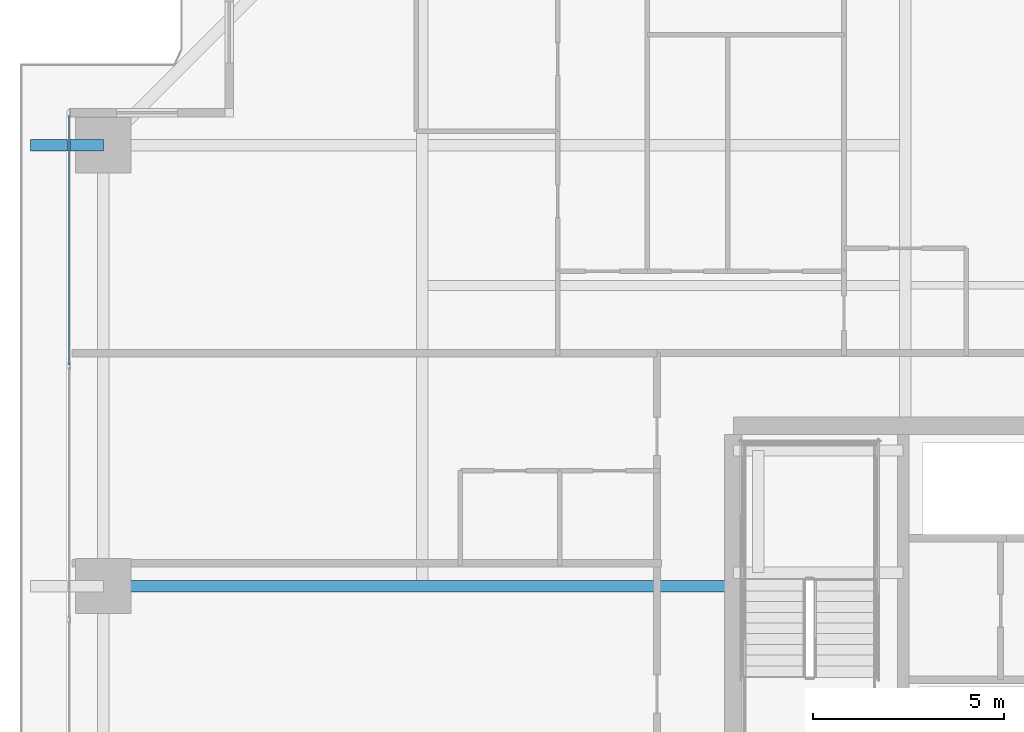
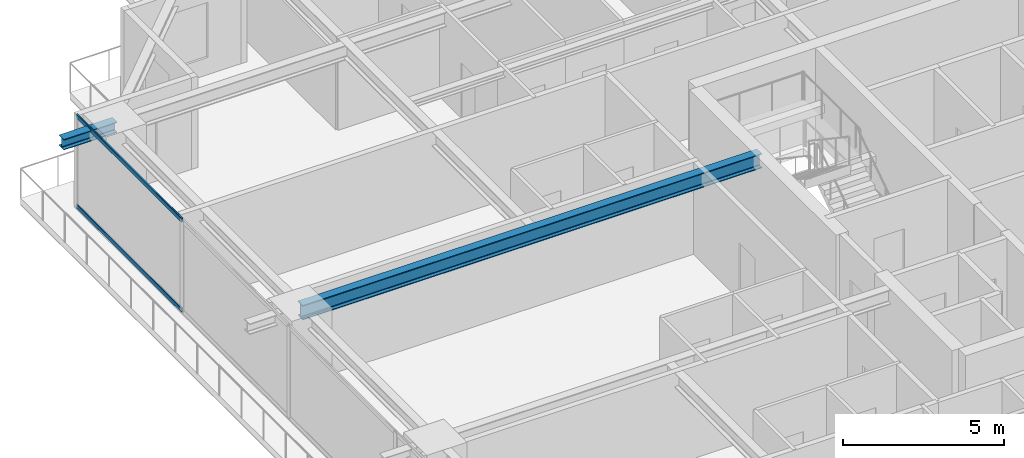
# One storey, part 17 of 39: 2 beams, 2 members, 1 element without a shape of its own.
"""IFC4 building model written with IfcOpenShell, lengths in metres."""

from ifc_helpers import new_model, si_unit, direction, frame, origin, origin_2d, place, context, subcontext, project, spatial, hollow_rectangle, i_section, extrude, source, transform, mapped, material, layer, layer_set, material_profile, profile_set, type_object, element, aggregate, save


model = new_model("IFC4")

# Units and contexts
model_context = context("Model", 3, precision=1e-05, world=origin(), true_north=direction((0.0, 1.0)))
body_context = subcontext(model_context, "Body", "Model", "MODEL_VIEW")
ifc_project = project(units=[si_unit("LENGTHUNIT", "METRE"), si_unit("AREAUNIT", "SQUARE_METRE"), si_unit("VOLUMEUNIT", "CUBIC_METRE"), si_unit("PLANEANGLEUNIT", "RADIAN"), si_unit("MASSUNIT", "GRAM", prefix="KILO")], contexts=[model_context])

# Site, building, storey
site_placement = place(None, origin())
site = spatial("IfcSite", under=ifc_project, at=site_placement, CompositionType="ELEMENT")
building_placement = place(site_placement, origin())
building = spatial("IfcBuilding", under=site, at=building_placement, Name="Serunith Strait Residences", CompositionType="ELEMENT")
storey_placement = place(building_placement, frame((0.0, 0.0, 79.199951171875)))
storey = spatial("IfcBuildingStorey", under=building, at=storey_placement, Name="L19", CompositionType="ELEMENT", Elevation=79.199951171875)

# Beams
ifc_material_1 = material(Name="Steel S355J2", Category="steel")
ifc_material_profile_1 = material_profile(ifc_material_1, i_section(OverallWidth=0.300048828125, OverallDepth=0.550048828125, WebThickness=0.014892578125, FlangeThickness=0.029052734375, FilletRadius=0.027099609375, at=origin_2d()), Name="HEB 550")
ifc_profile_set_1 = profile_set([ifc_material_profile_1], Name="Steel S355J2")
beam_type_1 = type_object("IfcBeamType", Name="BM-HEB550", PredefinedType="BEAM", material=ifc_profile_set_1)
shared_shape_1 = source(origin(), body_context, "Body", "SweptSolid", [
    extrude(i_section(OverallWidth=0.300048828125, OverallDepth=0.550048828125, WebThickness=0.014892578125, FlangeThickness=0.029052734375, FilletRadius=0.027099609375, at=origin_2d()), origin(), (0.0, 0.0, 1.0), 16.5),
])
beam_1_placement = place(storey_placement, frame((23.39990234375, 29.39990234375, 3.212158203125), z_axis=(-1.0, 0.0, 0.0), x_axis=(0.0, -1.0, 0.0)))
element("IfcBeam", 1, at=beam_1_placement, inside=storey, type_object=beam_type_1, Name="L19 Primary Floor Girder TC-W3", PredefinedType="BEAM", context=body_context, shape_type="MappedRepresentation", body=[
    mapped(shared_shape_1, transform((0.0, 0.0, 0.0), scale=1.0)),
])
ifc_material_profile_2 = material_profile(ifc_material_1, i_section(OverallWidth=0.300048828125, OverallDepth=0.39990234375, WebThickness=0.013427734375, FlangeThickness=0.02392578125, FilletRadius=0.027099609375, at=origin_2d()), Name="HEB 400")
ifc_profile_set_2 = profile_set([ifc_material_profile_2], Name="Steel S355J2")
beam_type_2 = type_object("IfcBeamType", Name="BM-HEB400", PredefinedType="BEAM", material=ifc_profile_set_2)
shared_shape_2 = source(origin(), body_context, "Body", "SweptSolid", [
    extrude(i_section(OverallWidth=0.300048828125, OverallDepth=0.39990234375, WebThickness=0.013427734375, FlangeThickness=0.02392578125, FilletRadius=0.027099609375, at=origin_2d()), origin(), (0.0, 0.0, 1.0), 1.909912109375),
])
beam_2_placement = place(storey_placement, frame((6.89990234375, 40.949951171875, 3.257080078125), z_axis=(-1.0, 0.0, 0.0), x_axis=(0.0, -1.0, 0.0)))
element("IfcBeam", 2, at=beam_2_placement, inside=storey, type_object=beam_type_2, Name="L20 Cantilevered Balcony Rib TC-W4", PredefinedType="BEAM", context=body_context, shape_type="MappedRepresentation", body=[
    mapped(shared_shape_2, transform((0.0, 0.0, 0.0), scale=1.0)),
])

# Curtain wall, members
ifc_material_2 = material(Name="Pale-Champagne Anodised Aluminium", Category="aluminium")
ifc_layer = layer(ifc_material_2, 0.199951171875, Name="Pale-Champagne Anodised Aluminium")
ifc_layer_set = layer_set([ifc_layer], Name="Pale-Champagne Anodised Aluminium")
curtain_wall_type = type_object("IfcCurtainWallType", Name="CW-SYS1", PredefinedType="NOTDEFINED", material=ifc_layer_set)
curtain_wall_placement = place(storey_placement, origin())
curtain_wall = element("IfcCurtainWall", 3, at=curtain_wall_placement, inside=storey, type_object=curtain_wall_type, Name="L19 W Unitised Fritted Curtain Wall", PredefinedType="NOTDEFINED")
ifc_material_profile_3 = material_profile(ifc_material_2, hollow_rectangle(XDim=0.06005859375, YDim=0.159912109375, WallThickness=0.00341796875, InnerFilletRadius=0.00537109375, OuterFilletRadius=0.0087890625, at=origin_2d()), Name="ALU 160x60x3.5")
ifc_profile_set_3 = profile_set([ifc_material_profile_3], Name="Pale-Champagne Anodised Aluminium")
member_type = type_object("IfcMemberType", Name="CW-SYS1-TRAN", PredefinedType="USERDEFINED", material=ifc_profile_set_3)
shared_shape_3 = source(origin(), body_context, "Body", "SweptSolid", [
    extrude(hollow_rectangle(XDim=0.06005859375, YDim=0.159912109375, WallThickness=0.00341796875, InnerFilletRadius=0.00537109375, OuterFilletRadius=0.0087890625, at=origin_2d()), origin(), (0.0, 0.0, 1.0), 6.534912109375),
])
member_1_placement = place(storey_placement, frame((6.0, 41.72998046875, 0.030029296875), z_axis=(0.0, -1.0, 0.0), x_axis=(1.0, 0.0, 0.0)))
member_1 = element("IfcMember", 4, at=member_1_placement, type_object=member_type, Name="CW-1 transom 1.1", ObjectType="TRANSOM", PredefinedType="USERDEFINED", context=body_context, shape_type="MappedRepresentation", body=[
    mapped(shared_shape_3, transform((0.0, 0.0, 0.0), scale=1.0)),
])
member_2_placement = place(storey_placement, frame((6.0, 41.72998046875, 3.445068359375), z_axis=(0.0, -1.0, 0.0), x_axis=(1.0, 0.0, 0.0)))
member_2 = element("IfcMember", 5, at=member_2_placement, type_object=member_type, Name="CW-1 transom 1.2", ObjectType="TRANSOM", PredefinedType="USERDEFINED", context=body_context, shape_type="MappedRepresentation", body=[
    mapped(shared_shape_3, transform((0.0, 0.0, 0.0), scale=1.0)),
])
aggregate(curtain_wall, [member_1, member_2])

save(model, "model.ifc")
